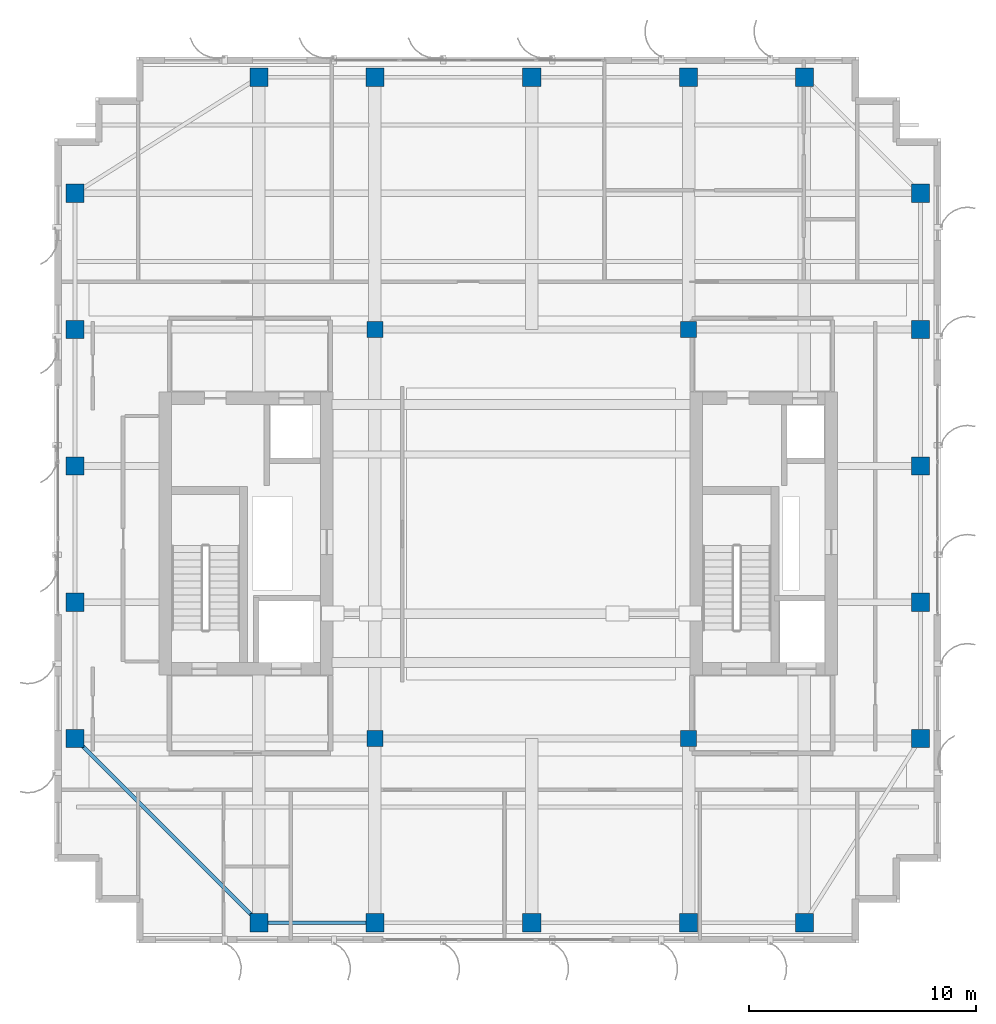
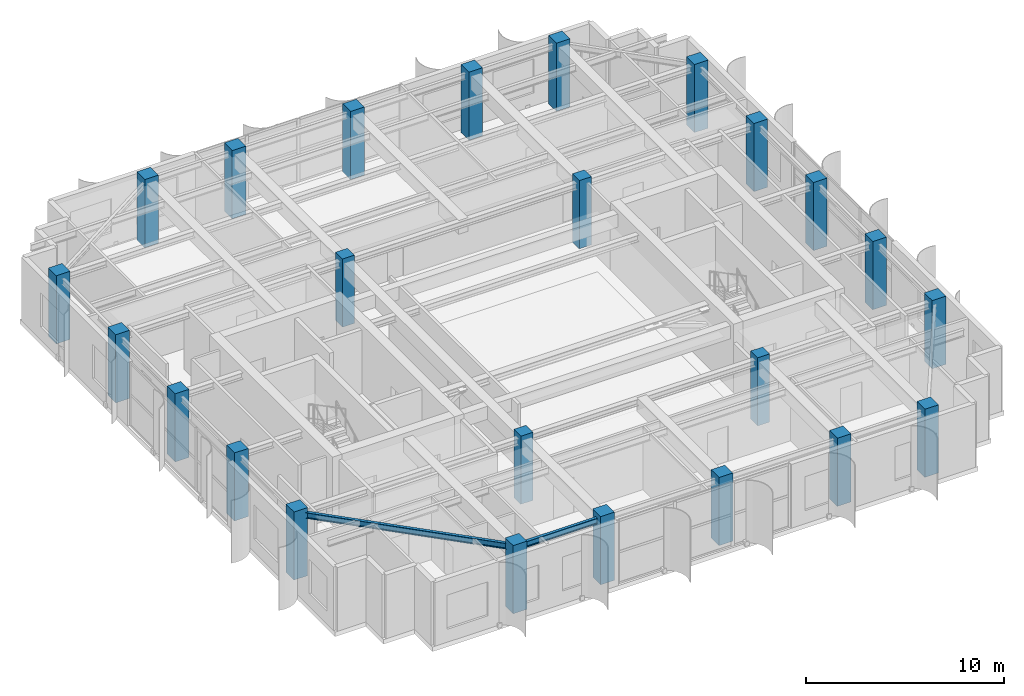
# One storey, part 1 of 26: 24 columns, 2 beams.
"""IFC4 building model written with IfcOpenShell, lengths in metres."""

import ifcopenshell
import ifcopenshell.guid

model = None  # the IFC model being written
_history = None  # IfcOwnerHistory: only IFC2X3 demands one
_inside = {}  # id of a spatial element -> (the spatial element, [elements in it])
_under = {}  # id of a project, library or spatial element -> (it, [spatial elements below it])
_declared = {}  # id of a project -> (the project, [libraries it declares])
_typed = {}  # id of a type object -> (the type object, [elements of that type])
_made_of = {}  # id of a material, layer set ... -> (it, [elements and type objects made of it])


def new_model(schema):
    """Start an empty IFC model of exactly this schema.

    Asked for "IFC4X3", IfcOpenShell would pick the latest addendum, in which some entities
    have other attributes; the version numbers below select the first issue.
    IFC2X3 requires an IfcOwnerHistory on every rooted entity: one is made here for all.
    """
    global model, _history
    if schema == "IFC4X3":
        model = ifcopenshell.file(schema_version=(4, 3, 0, 0))
    else:
        model = ifcopenshell.file(schema=schema)
    _inside.clear()
    _under.clear()
    _declared.clear()
    _typed.clear()
    _made_of.clear()
    _history = None
    if model.schema == "IFC2X3":
        org = make("IfcOrganization", Name="unknown")
        user = make(
            "IfcPersonAndOrganization",
            ThePerson=make("IfcPerson", FamilyName="unknown"),
            TheOrganization=org,
        )
        app = make(
            "IfcApplication",
            ApplicationDeveloper=org,
            Version="unknown",
            ApplicationFullName="unknown",
            ApplicationIdentifier="unknown",
        )
        _history = make(
            "IfcOwnerHistory",
            OwningUser=user,
            OwningApplication=app,
            ChangeAction="ADDED",
            CreationDate=0,
        )
    return model


def make(cls, **values):
    """One entity of the class cls with the attributes given. An attribute that is None is left unset."""
    return model.create_entity(
        cls, **{name: value for name, value in values.items() if value is not None}
    )


def rooted(cls, **values):
    """An entity with a GlobalId (a new one), such as an element, a storey or a relation."""
    return make(cls, GlobalId=ifcopenshell.guid.new(), OwnerHistory=_history, **values)


def si_unit(unit_type, name, prefix=None):
    """IfcSIUnit, for example si_unit("LENGTHUNIT", "METRE", prefix="MILLI")."""
    return make("IfcSIUnit", UnitType=unit_type, Prefix=prefix, Name=name)


def assignment(units):
    """IfcUnitAssignment: the units of a project."""
    return None if units is None else make("IfcUnitAssignment", Units=units)


def point(xyz):
    """IfcCartesianPoint."""
    return None if xyz is None else make("IfcCartesianPoint", Coordinates=xyz)


def direction(xyz):
    """IfcDirection."""
    return None if xyz is None else make("IfcDirection", DirectionRatios=xyz)


def frame(location, z_axis=None, x_axis=None):
    """IfcAxis2Placement3D, a coordinate frame: its origin and axes. An axis left out is left unset."""
    return make(
        "IfcAxis2Placement3D",
        Location=point(location),
        Axis=direction(z_axis),
        RefDirection=direction(x_axis),
    )


def frame_2d(location, x_axis=None):
    """IfcAxis2Placement2D, a coordinate frame in the plane: its origin and x axis."""
    return make(
        "IfcAxis2Placement2D", Location=point(location), RefDirection=direction(x_axis)
    )


def origin():
    """The frame at (0, 0, 0) with its axes left unset."""
    return frame((0.0, 0.0, 0.0))


def origin_2d():
    """The frame at (0, 0) in the plane with its x axis left unset."""
    return frame_2d((0.0, 0.0))


def place(relative_to, where):
    """IfcLocalPlacement: puts the frame where relative to a parent placement (None: the world)."""
    return make(
        "IfcLocalPlacement", PlacementRelTo=relative_to, RelativePlacement=where
    )


def context(
    kind, dimensions, precision=None, world=None, true_north=None, identifier=None
):
    """IfcGeometricRepresentationContext, for example the 3D "Model" context."""
    return make(
        "IfcGeometricRepresentationContext",
        ContextIdentifier=identifier,
        ContextType=kind,
        CoordinateSpaceDimension=dimensions,
        Precision=precision,
        WorldCoordinateSystem=world,
        TrueNorth=true_north,
    )


def subcontext(parent, identifier, kind, view, scale=None):
    """IfcGeometricRepresentationSubContext, for example "Body" below "Model"."""
    return make(
        "IfcGeometricRepresentationSubContext",
        ContextIdentifier=identifier,
        ContextType=kind,
        ParentContext=parent,
        TargetScale=scale,
        TargetView=view,
    )


def project(units=None, contexts=None):
    """IfcProject with its units and contexts."""
    return rooted(
        "IfcProject",
        Name="project",
        RepresentationContexts=contexts,
        UnitsInContext=assignment(units),
    )


def spatial(cls, under=None, at=None, **own):
    """A site, building, storey or space (cls), placed at a placement, below another one or the project."""
    s = rooted(cls, ObjectPlacement=at, **own)
    if under is not None:
        _under.setdefault(under.id(), (under, []))[1].append(s)
    return s


def profile(cls, at=None, kind="AREA", **sizes):
    """A parametric profile (cls). Its sizes go by their IFC names, for example OverallWidth=200.0."""
    return make(cls, ProfileType=kind, Position=at, **sizes)


def rectangle(**sizes):
    """IfcRectangleProfileDef."""
    return profile("IfcRectangleProfileDef", **sizes)


def i_section(**sizes):
    """IfcIShapeProfileDef."""
    return profile("IfcIShapeProfileDef", **sizes)


def extrude(swept, where, along, depth):
    """IfcExtrudedAreaSolid: the profile swept, set in the frame where, extruded along a direction by depth."""
    return make(
        "IfcExtrudedAreaSolid",
        SweptArea=swept,
        Position=where,
        ExtrudedDirection=direction(along),
        Depth=depth,
    )


def shape(context_of_items, identifier, shape_type, items):
    """IfcShapeRepresentation: the items that make up one representation, for example the "Body"."""
    return make(
        "IfcShapeRepresentation",
        ContextOfItems=context_of_items,
        RepresentationIdentifier=identifier,
        RepresentationType=shape_type,
        Items=items,
    )


def source(mapping_origin, context_of_items, identifier, shape_type, items):
    """IfcRepresentationMap: a shape defined once, which mapped items show again and again."""
    return make(
        "IfcRepresentationMap",
        MappingOrigin=mapping_origin,
        MappedRepresentation=shape(context_of_items, identifier, shape_type, items),
    )


def transform(
    local_origin,
    x_axis=None,
    y_axis=None,
    z_axis=None,
    scale=None,
    scale2=None,
    scale3=None,
    uniform=True,
):
    """IfcCartesianTransformationOperator3D, or its non-uniform kind. x_axis, y_axis, z_axis: its Axis1, 2, 3."""
    if uniform:
        return make(
            "IfcCartesianTransformationOperator3D",
            Axis1=direction(x_axis),
            Axis2=direction(y_axis),
            LocalOrigin=point(local_origin),
            Scale=scale,
            Axis3=direction(z_axis),
        )
    return make(
        "IfcCartesianTransformationOperator3DnonUniform",
        Axis1=direction(x_axis),
        Axis2=direction(y_axis),
        LocalOrigin=point(local_origin),
        Scale=scale,
        Axis3=direction(z_axis),
        Scale2=scale2,
        Scale3=scale3,
    )


def mapped(mapping_source, mapping_target):
    """IfcMappedItem: shows the shape of a source again, moved by a transform."""
    return make(
        "IfcMappedItem", MappingSource=mapping_source, MappingTarget=mapping_target
    )


def material(Name=None, Category=None):
    """IfcMaterial."""
    return make("IfcMaterial", Name=Name, Category=Category)


def material_profile(
    of_material, cross_section, Name=None, Category=None, Priority=None
):
    """IfcMaterialProfile: a cross section and its material."""
    return make(
        "IfcMaterialProfile",
        Name=Name,
        Material=of_material,
        Profile=cross_section,
        Priority=Priority,
        Category=Category,
    )


def profile_set(profiles, Name=None, composite=None):
    """IfcMaterialProfileSet."""
    return make(
        "IfcMaterialProfileSet",
        Name=Name,
        MaterialProfiles=profiles,
        CompositeProfile=composite,
    )


def made_of(thing, what):
    """Note that an element or type object is made of a material, layer set ...; save() writes the relation."""
    if what is not None:
        _made_of.setdefault(what.id(), (what, []))[1].append(thing)
    return thing


def type_object(cls, material=None, **own):
    """A type object (cls), such as IfcWallType, which elements share."""
    return made_of(rooted(cls, **own), material)


def element(
    cls,
    number,
    at=None,
    inside=None,
    cuts=None,
    type_object=None,
    material=None,
    context=None,
    identifier="Body",
    shape_type=None,
    held_by="IfcProductDefinitionShape",
    body=None,
    shapes=None,
    **own,
):
    """One element of the class cls, such as IfcWall. Its Tag is "e" and its number.

    at: its placement. inside: the storey or other place that contains it. cuts: it is an
    opening in that element (IfcRelVoidsElement). A single representation is given by context,
    identifier, shape_type and body (its items); several are given by shapes. held_by: the class
    of the entity that holds the representations. save() writes the other relations.
    """
    e = rooted(cls, Tag="e%d" % number, ObjectPlacement=at, **own)
    if body is not None:
        shapes = [shape(context, identifier, shape_type, body)]
    if shapes is not None:
        e.Representation = make(held_by, Representations=shapes)
    if inside is not None:
        _inside.setdefault(inside.id(), (inside, []))[1].append(e)
    if cuts is not None:
        rooted(
            "IfcRelVoidsElement", RelatingBuildingElement=cuts, RelatedOpeningElement=e
        )
    if type_object is not None:
        _typed.setdefault(type_object.id(), (type_object, []))[1].append(e)
    return made_of(e, material)


def aggregate(whole, parts):
    """IfcRelAggregates: a whole, such as a stair, and the parts it consists of."""
    return rooted("IfcRelAggregates", RelatingObject=whole, RelatedObjects=parts)


def save(model, path):
    """Write the relations noted so far, then the file.

    IfcRelAggregates (storeys below a building ...), IfcRelContainedInSpatialStructure (elements
    in a storey), IfcRelDefinesByType, IfcRelAssociatesMaterial and IfcRelDeclares: one each for
    every whole, place, type object, material and project.
    """
    for whole, parts in _under.values():
        aggregate(whole, parts)
    for where, things in _inside.values():
        rooted(
            "IfcRelContainedInSpatialStructure",
            RelatedElements=things,
            RelatingStructure=where,
        )
    for kind, things in _typed.values():
        rooted("IfcRelDefinesByType", RelatedObjects=things, RelatingType=kind)
    for what, things in _made_of.values():
        rooted("IfcRelAssociatesMaterial", RelatedObjects=things, RelatingMaterial=what)
    for by, libraries in _declared.values():
        rooted("IfcRelDeclares", RelatingContext=by, RelatedDefinitions=libraries)
    model.write(path)


model = new_model("IFC4")

# Units and contexts
model_context = context("Model", 3, precision=1e-05, world=origin(), true_north=direction((0.0, 1.0)))
body_context = subcontext(model_context, "Body", "Model", "MODEL_VIEW")
ifc_project = project(units=[si_unit("LENGTHUNIT", "METRE"), si_unit("AREAUNIT", "SQUARE_METRE"), si_unit("VOLUMEUNIT", "CUBIC_METRE"), si_unit("PLANEANGLEUNIT", "RADIAN"), si_unit("MASSUNIT", "GRAM", prefix="KILO")], contexts=[model_context])

# Site, building, storey
site_placement = place(None, origin())
site = spatial("IfcSite", under=ifc_project, at=site_placement, CompositionType="ELEMENT")
building_placement = place(site_placement, origin())
building = spatial("IfcBuilding", under=site, at=building_placement, Name="Khoralis Quay Care Tower", CompositionType="ELEMENT")
storey_placement = place(building_placement, frame((0.0, 0.0, 289.5)))
storey = spatial("IfcBuildingStorey", under=building, at=storey_placement, Name="L76", CompositionType="ELEMENT", Elevation=289.5)

# Columns
ifc_material_1 = material(Name="Concrete C50/60", Category="concrete")
ifc_material_profile_1 = material_profile(ifc_material_1, rectangle(XDim=0.800048828125, YDim=0.800048828125, at=origin_2d()), Name="Concrete C50/60")
ifc_profile_set_1 = profile_set([ifc_material_profile_1], Name="Concrete C50/60")
column_type_1 = type_object("IfcColumnType", Name="COL-C800", PredefinedType="COLUMN", material=ifc_profile_set_1)
shared_shape_1 = source(origin(), body_context, "Body", "SweptSolid", [
    extrude(rectangle(XDim=0.800048828125, YDim=0.800048828125, at=origin_2d()), origin(), (0.0, 0.0, 1.0), 4.199951171875),
])
for number, where, z_axis, x_axis, name in (
    (1, (12.0, 3.89990234375, 0.0), (0.0, 0.0, 1.0), (1.0, 0.0, 0.0), "COL-TWR-L76-01"),
    (2, (12.0, 41.10009765625, 0.0), (0.0, 0.0, 1.0), (1.0, 0.0, 0.0), "COL-TWR-L76-02"),
    (3, (17.10009765625, 3.89990234375, 0.0), (0.0, 0.0, 1.0), (1.0, 0.0, 0.0), "COL-TWR-L76-03"),
    (4, (17.10009765625, 41.10009765625, 0.0), (0.0, 0.0, 1.0), (1.0, 0.0, 0.0), "COL-TWR-L76-04"),
    (5, (24.0, 3.89990234375, 0.0), (0.0, 0.0, 1.0), (1.0, 0.0, 0.0), "COL-TWR-L76-05"),
    (6, (24.0, 41.10009765625, 0.0), (0.0, 0.0, 1.0), (1.0, 0.0, 0.0), "COL-TWR-L76-06"),
    (7, (30.89990234375, 3.89990234375, 0.0), (0.0, 0.0, 1.0), (1.0, 0.0, 0.0), "COL-TWR-L76-07"),
    (8, (30.89990234375, 41.10009765625, 0.0), (0.0, 0.0, 1.0), (1.0, 0.0, 0.0), "COL-TWR-L76-08"),
    (9, (36.0, 3.89990234375, 0.0), (0.0, 0.0, 1.0), (1.0, 0.0, 0.0), "COL-TWR-L76-09"),
    (10, (36.0, 41.10009765625, 0.0), (0.0, 0.0, 1.0), (1.0, 0.0, 0.0), "COL-TWR-L76-10"),
    (11, (3.89990234375, 12.0, 0.0), (0.0, 0.0, 1.0), (1.0, 0.0, 0.0), "COL-TWR-L76-11"),
    (12, (41.10009765625, 12.0, 0.0), (0.0, 0.0, 1.0), (1.0, 0.0, 0.0), "COL-TWR-L76-12"),
    (13, (3.89990234375, 18.0, 0.0), (0.0, 0.0, 1.0), (1.0, 0.0, 0.0), "COL-TWR-L76-13"),
    (14, (41.10009765625, 18.0, 0.0), (0.0, 0.0, 1.0), (1.0, 0.0, 0.0), "COL-TWR-L76-14"),
    (15, (3.89990234375, 24.0, 0.0), (0.0, 0.0, 1.0), (1.0, 0.0, 0.0), "COL-TWR-L76-15"),
    (16, (41.10009765625, 24.0, 0.0), (0.0, 0.0, 1.0), (1.0, 0.0, 0.0), "COL-TWR-L76-16"),
    (17, (3.89990234375, 30.0, 0.0), (0.0, 0.0, 1.0), (1.0, 0.0, 0.0), "COL-TWR-L76-17"),
    (18, (41.10009765625, 30.0, 0.0), (0.0, 0.0, 1.0), (1.0, 0.0, 0.0), "COL-TWR-L76-18"),
    (19, (3.89990234375, 36.0, 0.0), (0.0, 0.0, 1.0), (1.0, 0.0, 0.0), "COL-TWR-L76-19"),
    (20, (41.10009765625, 36.0, 0.0), (0.0, 0.0, 1.0), (1.0, 0.0, 0.0), "COL-TWR-L76-20"),
):
    element("IfcColumn", number, at=place(storey_placement, frame(where, z_axis=z_axis, x_axis=x_axis)), inside=storey, type_object=column_type_1, Name=name, PredefinedType="COLUMN", context=body_context, shape_type="MappedRepresentation", body=[
        mapped(shared_shape_1, transform((0.0, 0.0, 0.0), scale=1.0)),
    ])
ifc_material_profile_2 = material_profile(ifc_material_1, rectangle(XDim=0.699951171875, YDim=0.699951171875, at=origin_2d()), Name="Concrete C50/60")
ifc_profile_set_2 = profile_set([ifc_material_profile_2], Name="Concrete C50/60")
column_type_2 = type_object("IfcColumnType", Name="COL-C700", PredefinedType="COLUMN", material=ifc_profile_set_2)
shared_shape_2 = source(origin(), body_context, "Body", "SweptSolid", [
    extrude(rectangle(XDim=0.699951171875, YDim=0.699951171875, at=origin_2d()), origin(), (0.0, 0.0, 1.0), 4.199951171875),
])
for number, where, z_axis, x_axis, name in (
    (21, (17.10009765625, 12.0, 0.0), (0.0, 0.0, 1.0), (1.0, 0.0, 0.0), "COL-TWR-L76-21"),
    (22, (17.10009765625, 30.0, 0.0), (0.0, 0.0, 1.0), (1.0, 0.0, 0.0), "COL-TWR-L76-22"),
    (23, (30.89990234375, 12.0, 0.0), (0.0, 0.0, 1.0), (1.0, 0.0, 0.0), "COL-TWR-L76-23"),
    (24, (30.89990234375, 30.0, 0.0), (0.0, 0.0, 1.0), (1.0, 0.0, 0.0), "COL-TWR-L76-24"),
):
    element("IfcColumn", number, at=place(storey_placement, frame(where, z_axis=z_axis, x_axis=x_axis)), inside=storey, type_object=column_type_2, Name=name, PredefinedType="COLUMN", context=body_context, shape_type="MappedRepresentation", body=[
        mapped(shared_shape_2, transform((0.0, 0.0, 0.0), scale=1.0)),
    ])

# Beams
ifc_material_2 = material(Name="Steel S355", Category="steel")
ifc_material_profile_3 = material_profile(ifc_material_2, i_section(OverallWidth=0.169921875, OverallDepth=0.360107421875, WebThickness=0.008056640625, FlangeThickness=0.0126953125, FilletRadius=0.01806640625, at=origin_2d()), Name="Steel S355")
ifc_profile_set_3 = profile_set([ifc_material_profile_3], Name="Steel S355")
beam_type = type_object("IfcBeamType", Name="BM-IPE360", PredefinedType="SPANDREL", material=ifc_profile_set_3)
shared_shape_3 = source(origin(), body_context, "Body", "SweptSolid", [
    extrude(i_section(OverallWidth=0.169921875, OverallDepth=0.360107421875, WebThickness=0.008056640625, FlangeThickness=0.0126953125, FilletRadius=0.01806640625, at=origin_2d()), origin(), (0.0, 0.0, 1.0), 5.10009765625),
])
beam_1_placement = place(storey_placement, frame((12.0, 3.89990234375, 3.739990234375), z_axis=(1.0, 0.0, 0.0), x_axis=(0.0, 1.0, 0.0)))
element("IfcBeam", 25, at=beam_1_placement, inside=storey, type_object=beam_type, Name="BM-TSP-L76-01", PredefinedType="SPANDREL", context=body_context, shape_type="MappedRepresentation", body=[
    mapped(shared_shape_3, transform((0.0, 0.0, 0.0), scale=1.0)),
])
shared_shape_4 = source(origin(), body_context, "Body", "SweptSolid", [
    extrude(i_section(OverallWidth=0.169921875, OverallDepth=0.360107421875, WebThickness=0.008056640625, FlangeThickness=0.0126953125, FilletRadius=0.01806640625, at=origin_2d()), origin(), (0.0, 0.0, 1.0), 11.455322265625),
])
beam_2_placement = place(storey_placement, frame((12.0, 3.89990234375, 3.739990234375), z_axis=(-0.707106781187, 0.707106781187, 0.0), x_axis=(-0.707106781187, -0.707106781187, 0.0)))
element("IfcBeam", 26, at=beam_2_placement, inside=storey, type_object=beam_type, Name="BM-TCR-L76-17", PredefinedType="SPANDREL", context=body_context, shape_type="MappedRepresentation", body=[
    mapped(shared_shape_4, transform((0.0, 0.0, 0.0), scale=1.0)),
])

save(model, "model.ifc")
